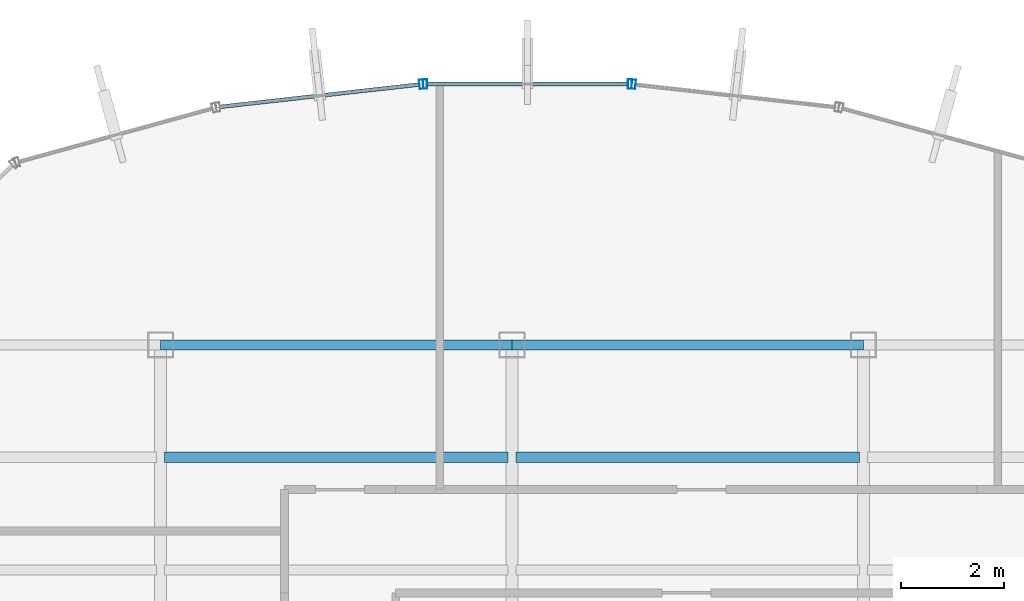
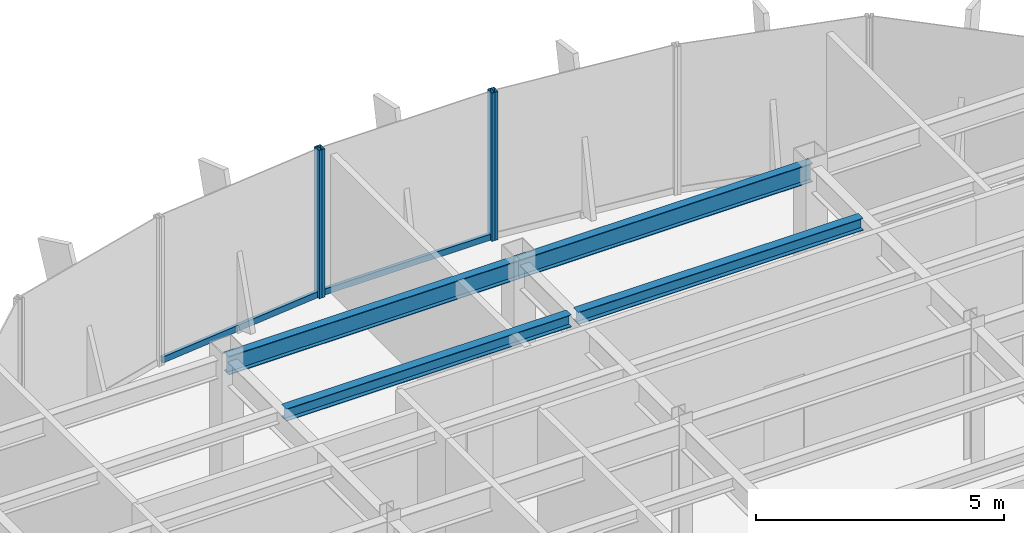
# One storey, part 13 of 22: 6 members, 4 beams, 3 elements without a shape of their own.
"""IFC4 building model written with IfcOpenShell, lengths in metres."""

from ifc_helpers import new_model, si_unit, derived_unit, direction, frame, origin, origin_2d, place, context, subcontext, project, spatial, hollow_rectangle, i_section, extrude, source, transform, mapped, material, material_profile, profile_set, type_object, element, aggregate, save


model = new_model("IFC4")

# Units and contexts
model_context = context("Model", 3, precision=1e-05, world=origin(), true_north=direction((0.0, 1.0)))
body_context = subcontext(model_context, "Body", "Model", "MODEL_VIEW")
ifc_project = project(units=[si_unit("LENGTHUNIT", "METRE"), si_unit("AREAUNIT", "SQUARE_METRE"), si_unit("VOLUMEUNIT", "CUBIC_METRE"), si_unit("PLANEANGLEUNIT", "RADIAN"), si_unit("MASSUNIT", "GRAM", prefix="KILO"), derived_unit("THERMALTRANSMITTANCEUNIT", [(si_unit("POWERUNIT", "WATT"), 1), (si_unit("LENGTHUNIT", "METRE"), -2), (si_unit("THERMODYNAMICTEMPERATUREUNIT", "KELVIN"), -1)])], contexts=[model_context])

# Site, building, storey
site_placement = place(None, origin())
site = spatial("IfcSite", under=ifc_project, at=site_placement, CompositionType="ELEMENT")
building_placement = place(site_placement, origin())
building = spatial("IfcBuilding", under=site, at=building_placement, Name="Skarnbrae Concourse Arena and Tower", CompositionType="ELEMENT")
storey_placement = place(building_placement, frame((0.0, 0.0, 247.85009765625)))
storey = spatial("IfcBuildingStorey", under=building, at=storey_placement, Name="L64", CompositionType="ELEMENT", Elevation=247.85009765625)

# Beams
ifc_material_1 = material(Name="Steel CSA G40.21 350W", Category="steel")
ifc_material_profile_1 = material_profile(ifc_material_1, i_section(OverallWidth=0.19091796875, OverallDepth=0.4599609375, WebThickness=0.010009765625, FlangeThickness=0.01611328125, at=origin_2d()), Name="W460X82")
ifc_profile_set_1 = profile_set([ifc_material_profile_1], Name="Steel CSA G40.21 350W")
beam_type_1 = type_object("IfcBeamType", Name="BM-SPAN-W460X82", PredefinedType="SPANDREL", material=ifc_profile_set_1)
shared_shape_1 = source(origin(), body_context, "Body", "SweptSolid", [
    extrude(i_section(OverallWidth=0.19091796875, OverallDepth=0.4599609375, WebThickness=0.010009765625, FlangeThickness=0.01611328125, at=origin_2d()), origin(), (0.0, 0.0, 1.0), 6.800048828125),
])
for number, where, z_axis, x_axis, name in (
    (1, (14.39990234375, 34.39990234375, 3.169921875), (1.0, 0.0, 0.0), (0.0, 1.0, 0.0), "L64 Perimeter spandrel Y34.4-2"),
    (2, (21.199951171875, 34.39990234375, 3.169921875), (1.0, 0.0, 0.0), (0.0, 1.0, 0.0), "L64 Perimeter spandrel Y34.4-3"),
):
    element("IfcBeam", number, at=place(storey_placement, frame(where, z_axis=z_axis, x_axis=x_axis)), inside=storey, type_object=beam_type_1, Name=name, PredefinedType="SPANDREL", context=body_context, shape_type="MappedRepresentation", body=[
        mapped(shared_shape_1, transform((0.0, 0.0, 0.0))),
    ])
ifc_material_profile_2 = material_profile(ifc_material_1, i_section(OverallWidth=0.202880859375, OverallDepth=0.302978515625, WebThickness=0.007568359375, FlangeThickness=0.01318359375, at=origin_2d()), Name="W310X60")
ifc_profile_set_2 = profile_set([ifc_material_profile_2], Name="Steel CSA G40.21 350W")
beam_type_2 = type_object("IfcBeamType", Name="BM-JOIST-W310X60", PredefinedType="JOIST", material=ifc_profile_set_2)
shared_shape_2 = source(origin(), body_context, "Body", "SweptSolid", [
    extrude(i_section(OverallWidth=0.202880859375, OverallDepth=0.302978515625, WebThickness=0.007568359375, FlangeThickness=0.01318359375, at=origin_2d()), origin(), (0.0, 0.0, 1.0), 6.64013671875),
])
beam_1_placement = place(storey_placement, frame((14.47998046875, 32.221923828125, 3.248291015625), z_axis=(1.0, 0.0, 0.0), x_axis=(0.0, 1.0, 0.0)))
element("IfcBeam", 3, at=beam_1_placement, inside=storey, type_object=beam_type_2, Name="L64 Secondary floor joist 3.2.2", PredefinedType="JOIST", context=body_context, shape_type="MappedRepresentation", body=[
    mapped(shared_shape_2, transform((0.0, 0.0, 0.0))),
])
shared_shape_3 = source(origin(), body_context, "Body", "SweptSolid", [
    extrude(i_section(OverallWidth=0.202880859375, OverallDepth=0.302978515625, WebThickness=0.007568359375, FlangeThickness=0.01318359375, at=origin_2d()), origin(), (0.0, 0.0, 1.0), 6.639892578125),
])
beam_2_placement = place(storey_placement, frame((21.280029296875, 32.221923828125, 3.248291015625), z_axis=(1.0, 0.0, 0.0), x_axis=(0.0, 1.0, 0.0)))
element("IfcBeam", 4, at=beam_2_placement, inside=storey, type_object=beam_type_2, Name="L64 Secondary floor joist 3.2.3", PredefinedType="JOIST", context=body_context, shape_type="MappedRepresentation", body=[
    mapped(shared_shape_3, transform((0.0, 0.0, 0.0))),
])

# Curtain wall, member
ifc_material_2 = material(Name="Bronze anodised aluminium 6063-T6", Category="aluminium")
curtain_wall_type = type_object("IfcCurtainWallType", Name="CW-SYS-05-HIGHZONE", PredefinedType="USERDEFINED", material=ifc_material_2)
curtain_wall_1_placement = place(storey_placement, origin())
curtain_wall_1 = element("IfcCurtainWall", 5, at=curtain_wall_1_placement, inside=storey, type_object=curtain_wall_type, Name="L64 Unitised curtain wall CW-L64-E10", ObjectType="UNITISED CURTAIN WALL", PredefinedType="USERDEFINED")
ifc_material_profile_3 = material_profile(ifc_material_2, hollow_rectangle(XDim=0.074951171875, YDim=0.179931640625, WallThickness=0.00390625, at=origin_2d()), Name="ALU-MULL-75X180")
ifc_profile_set_3 = profile_set([ifc_material_profile_3], Name="Bronze anodised aluminium 6063-T6")
member_type_1 = type_object("IfcMemberType", Name="CWM-CW-05", PredefinedType="MULLION", material=ifc_profile_set_3)
shared_shape_4 = source(origin(), body_context, "Body", "SweptSolid", [
    extrude(hollow_rectangle(XDim=0.074951171875, YDim=0.179931640625, WallThickness=0.00390625, at=origin_2d()), origin(), (0.0, 0.0, 1.0), 3.64990234375),
])
member_1_placement = place(storey_placement, frame((23.554443359375, 39.4423828125, 0.0), z_axis=(0.0, 0.0, 1.0), x_axis=(-0.993768891873, 0.111460259941, 0.0)))
member_1 = element("IfcMember", 6, at=member_1_placement, type_object=member_type_1, Name="CW-L64-E10 Mullion 2", PredefinedType="MULLION", context=body_context, shape_type="MappedRepresentation", body=[
    mapped(shared_shape_4, transform((0.0, 0.0, 0.0))),
])
aggregate(curtain_wall_1, [member_1])

# Curtain wall, members
curtain_wall_2_placement = place(storey_placement, origin())
curtain_wall_2 = element("IfcCurtainWall", 7, at=curtain_wall_2_placement, inside=storey, type_object=curtain_wall_type, Name="L64 Unitised curtain wall CW-L64-E11", ObjectType="UNITISED CURTAIN WALL", PredefinedType="USERDEFINED")
member_2_placement = place(storey_placement, frame((23.479736328125, 39.44677734375, 0.0), z_axis=(0.0, 0.0, 1.0), x_axis=(-1.0, 0.0, 0.0)))
member_2 = element("IfcMember", 8, at=member_2_placement, type_object=member_type_1, Name="CW-L64-E11 Mullion 1", PredefinedType="MULLION", context=body_context, shape_type="MappedRepresentation", body=[
    mapped(shared_shape_4, transform((0.0, 0.0, 0.0))),
])
member_3_placement = place(storey_placement, frame((19.520263671875, 39.44677734375, 0.0), z_axis=(0.0, 0.0, 1.0), x_axis=(-1.0, 0.0, 0.0)))
member_3 = element("IfcMember", 9, at=member_3_placement, type_object=member_type_1, Name="CW-L64-E11 Mullion 2", PredefinedType="MULLION", context=body_context, shape_type="MappedRepresentation", body=[
    mapped(shared_shape_4, transform((0.0, 0.0, 0.0))),
])

curtain_wall_3_placement = place(storey_placement, origin())
curtain_wall_3 = element("IfcCurtainWall", 10, at=curtain_wall_3_placement, inside=storey, type_object=curtain_wall_type, Name="L64 Unitised curtain wall CW-L64-E12", ObjectType="UNITISED CURTAIN WALL", PredefinedType="USERDEFINED")
member_4_placement = place(storey_placement, frame((19.445556640625, 39.4423828125, 0.0), z_axis=(0.0, 0.0, 1.0), x_axis=(-0.993768891873, -0.111460259941, 0.0)))
member_4 = element("IfcMember", 11, at=member_4_placement, type_object=member_type_1, Name="CW-L64-E12 Mullion 1", PredefinedType="MULLION", context=body_context, shape_type="MappedRepresentation", body=[
    mapped(shared_shape_4, transform((0.0, 0.0, 0.0))),
])
ifc_material_profile_4 = material_profile(ifc_material_2, hollow_rectangle(XDim=0.074951171875, YDim=0.14990234375, WallThickness=0.00390625, at=origin_2d()), Name="ALU-TRAN-75X150")
ifc_profile_set_4 = profile_set([ifc_material_profile_4], Name="Bronze anodised aluminium 6063-T6")
member_type_2 = type_object("IfcMemberType", Name="CWT-CW-05", PredefinedType="USERDEFINED", material=ifc_profile_set_4)
shared_shape_5 = source(origin(), body_context, "Body", "SweptSolid", [
    extrude(hollow_rectangle(XDim=0.074951171875, YDim=0.14990234375, WallThickness=0.00390625, at=origin_2d()), origin(), (0.0, 0.0, 1.0), 3.8837890625),
])
member_5_placement = place(storey_placement, frame((19.408203125, 39.438232421875, 0.074951171875), z_axis=(-0.993776714154, -0.111390495128, 0.0), x_axis=(0.111390495128, -0.993776714154, 0.0)))
member_5 = element("IfcMember", 12, at=member_5_placement, type_object=member_type_2, Name="CW-L64-E12 Transom 1", ObjectType="TRANSOM", PredefinedType="USERDEFINED", context=body_context, shape_type="MappedRepresentation", body=[
    mapped(shared_shape_5, transform((0.0, 0.0, 0.0))),
])
aggregate(curtain_wall_3, [member_4, member_5])

# Member
shared_shape_6 = source(origin(), body_context, "Body", "SweptSolid", [
    extrude(hollow_rectangle(XDim=0.074951171875, YDim=0.14990234375, WallThickness=0.00390625, at=origin_2d()), origin(), (0.0, 0.0, 1.0), 3.88427734375),
])
member_6_placement = place(storey_placement, frame((23.442138671875, 39.44677734375, 0.074951171875), z_axis=(-1.0, 0.0, 0.0), x_axis=(0.0, -1.0, 0.0)))
member_6 = element("IfcMember", 13, at=member_6_placement, type_object=member_type_2, Name="CW-L64-E11 Transom 1", ObjectType="TRANSOM", PredefinedType="USERDEFINED", context=body_context, shape_type="MappedRepresentation", body=[
    mapped(shared_shape_6, transform((0.0, 0.0, 0.0))),
])

aggregate(curtain_wall_2, [member_2, member_3, member_6])

save(model, "model.ifc")
